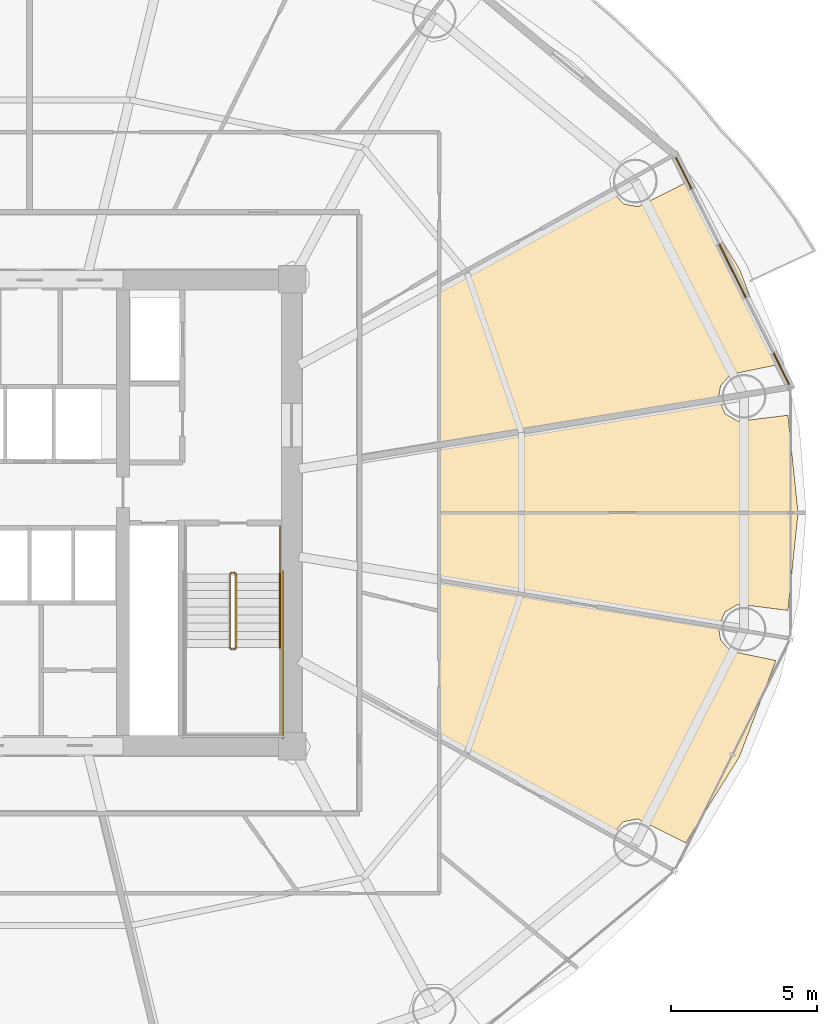
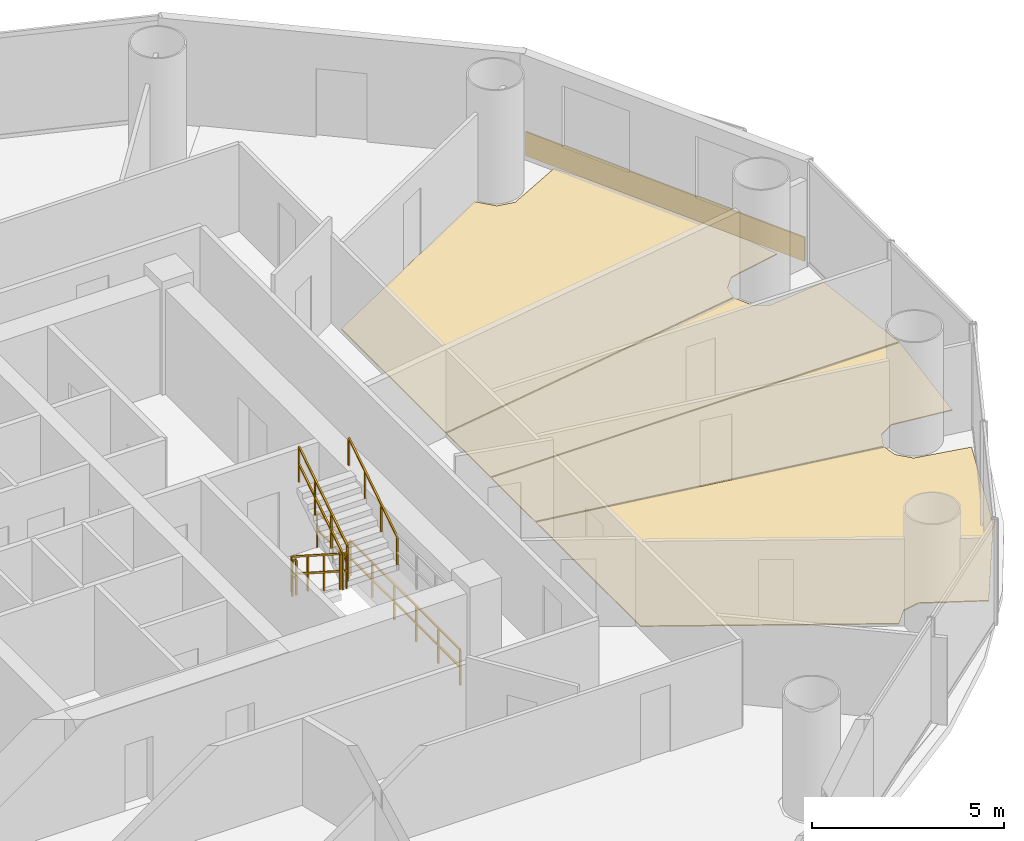
# One storey, part 28 of 29: 7 railings, 5 coverings.
"""IFC4 building model written with IfcOpenShell, lengths in metres."""

import ifcopenshell
import ifcopenshell.guid

model = None  # the IFC model being written
_history = None  # IfcOwnerHistory: only IFC2X3 demands one
_inside = {}  # id of a spatial element -> (the spatial element, [elements in it])
_under = {}  # id of a project, library or spatial element -> (it, [spatial elements below it])
_declared = {}  # id of a project -> (the project, [libraries it declares])
_typed = {}  # id of a type object -> (the type object, [elements of that type])
_made_of = {}  # id of a material, layer set ... -> (it, [elements and type objects made of it])


def new_model(schema):
    """Start an empty IFC model of exactly this schema.

    Asked for "IFC4X3", IfcOpenShell would pick the latest addendum, in which some entities
    have other attributes; the version numbers below select the first issue.
    IFC2X3 requires an IfcOwnerHistory on every rooted entity: one is made here for all.
    """
    global model, _history
    if schema == "IFC4X3":
        model = ifcopenshell.file(schema_version=(4, 3, 0, 0))
    else:
        model = ifcopenshell.file(schema=schema)
    _inside.clear()
    _under.clear()
    _declared.clear()
    _typed.clear()
    _made_of.clear()
    _history = None
    if model.schema == "IFC2X3":
        org = make("IfcOrganization", Name="unknown")
        user = make(
            "IfcPersonAndOrganization",
            ThePerson=make("IfcPerson", FamilyName="unknown"),
            TheOrganization=org,
        )
        app = make(
            "IfcApplication",
            ApplicationDeveloper=org,
            Version="unknown",
            ApplicationFullName="unknown",
            ApplicationIdentifier="unknown",
        )
        _history = make(
            "IfcOwnerHistory",
            OwningUser=user,
            OwningApplication=app,
            ChangeAction="ADDED",
            CreationDate=0,
        )
    return model


def make(cls, **values):
    """One entity of the class cls with the attributes given. An attribute that is None is left unset."""
    return model.create_entity(
        cls, **{name: value for name, value in values.items() if value is not None}
    )


def rooted(cls, **values):
    """An entity with a GlobalId (a new one), such as an element, a storey or a relation."""
    return make(cls, GlobalId=ifcopenshell.guid.new(), OwnerHistory=_history, **values)


def si_unit(unit_type, name, prefix=None):
    """IfcSIUnit, for example si_unit("LENGTHUNIT", "METRE", prefix="MILLI")."""
    return make("IfcSIUnit", UnitType=unit_type, Prefix=prefix, Name=name)


def assignment(units):
    """IfcUnitAssignment: the units of a project."""
    return None if units is None else make("IfcUnitAssignment", Units=units)


def point(xyz):
    """IfcCartesianPoint."""
    return None if xyz is None else make("IfcCartesianPoint", Coordinates=xyz)


def direction(xyz):
    """IfcDirection."""
    return None if xyz is None else make("IfcDirection", DirectionRatios=xyz)


def frame(location, z_axis=None, x_axis=None):
    """IfcAxis2Placement3D, a coordinate frame: its origin and axes. An axis left out is left unset."""
    return make(
        "IfcAxis2Placement3D",
        Location=point(location),
        Axis=direction(z_axis),
        RefDirection=direction(x_axis),
    )


def frame_2d(location, x_axis=None):
    """IfcAxis2Placement2D, a coordinate frame in the plane: its origin and x axis."""
    return make(
        "IfcAxis2Placement2D", Location=point(location), RefDirection=direction(x_axis)
    )


def origin():
    """The frame at (0, 0, 0) with its axes left unset."""
    return frame((0.0, 0.0, 0.0))


def origin_2d():
    """The frame at (0, 0) in the plane with its x axis left unset."""
    return frame_2d((0.0, 0.0))


def place(relative_to, where):
    """IfcLocalPlacement: puts the frame where relative to a parent placement (None: the world)."""
    return make(
        "IfcLocalPlacement", PlacementRelTo=relative_to, RelativePlacement=where
    )


def context(
    kind, dimensions, precision=None, world=None, true_north=None, identifier=None
):
    """IfcGeometricRepresentationContext, for example the 3D "Model" context."""
    return make(
        "IfcGeometricRepresentationContext",
        ContextIdentifier=identifier,
        ContextType=kind,
        CoordinateSpaceDimension=dimensions,
        Precision=precision,
        WorldCoordinateSystem=world,
        TrueNorth=true_north,
    )


def subcontext(parent, identifier, kind, view, scale=None):
    """IfcGeometricRepresentationSubContext, for example "Body" below "Model"."""
    return make(
        "IfcGeometricRepresentationSubContext",
        ContextIdentifier=identifier,
        ContextType=kind,
        ParentContext=parent,
        TargetScale=scale,
        TargetView=view,
    )


def project(units=None, contexts=None):
    """IfcProject with its units and contexts."""
    return rooted(
        "IfcProject",
        Name="project",
        RepresentationContexts=contexts,
        UnitsInContext=assignment(units),
    )


def spatial(cls, under=None, at=None, **own):
    """A site, building, storey or space (cls), placed at a placement, below another one or the project."""
    s = rooted(cls, ObjectPlacement=at, **own)
    if under is not None:
        _under.setdefault(under.id(), (under, []))[1].append(s)
    return s


def polyline(points):
    """IfcPolyline through the points."""
    return make("IfcPolyline", Points=[point(p) for p in points])


def profile(cls, at=None, kind="AREA", **sizes):
    """A parametric profile (cls). Its sizes go by their IFC names, for example OverallWidth=200.0."""
    return make(cls, ProfileType=kind, Position=at, **sizes)


def rectangle(**sizes):
    """IfcRectangleProfileDef."""
    return profile("IfcRectangleProfileDef", **sizes)


def outline(outer, holes=None, kind="AREA"):
    """IfcArbitraryClosedProfileDef: a profile drawn as a closed curve; with holes, ...WithVoids."""
    if holes is None:
        return make("IfcArbitraryClosedProfileDef", ProfileType=kind, OuterCurve=outer)
    return make(
        "IfcArbitraryProfileDefWithVoids",
        ProfileType=kind,
        OuterCurve=outer,
        InnerCurves=holes,
    )


def extrude(swept, where, along, depth):
    """IfcExtrudedAreaSolid: the profile swept, set in the frame where, extruded along a direction by depth."""
    return make(
        "IfcExtrudedAreaSolid",
        SweptArea=swept,
        Position=where,
        ExtrudedDirection=direction(along),
        Depth=depth,
    )


def shape(context_of_items, identifier, shape_type, items):
    """IfcShapeRepresentation: the items that make up one representation, for example the "Body"."""
    return make(
        "IfcShapeRepresentation",
        ContextOfItems=context_of_items,
        RepresentationIdentifier=identifier,
        RepresentationType=shape_type,
        Items=items,
    )


def source(mapping_origin, context_of_items, identifier, shape_type, items):
    """IfcRepresentationMap: a shape defined once, which mapped items show again and again."""
    return make(
        "IfcRepresentationMap",
        MappingOrigin=mapping_origin,
        MappedRepresentation=shape(context_of_items, identifier, shape_type, items),
    )


def transform(
    local_origin,
    x_axis=None,
    y_axis=None,
    z_axis=None,
    scale=None,
    scale2=None,
    scale3=None,
    uniform=True,
):
    """IfcCartesianTransformationOperator3D, or its non-uniform kind. x_axis, y_axis, z_axis: its Axis1, 2, 3."""
    if uniform:
        return make(
            "IfcCartesianTransformationOperator3D",
            Axis1=direction(x_axis),
            Axis2=direction(y_axis),
            LocalOrigin=point(local_origin),
            Scale=scale,
            Axis3=direction(z_axis),
        )
    return make(
        "IfcCartesianTransformationOperator3DnonUniform",
        Axis1=direction(x_axis),
        Axis2=direction(y_axis),
        LocalOrigin=point(local_origin),
        Scale=scale,
        Axis3=direction(z_axis),
        Scale2=scale2,
        Scale3=scale3,
    )


def mapped(mapping_source, mapping_target):
    """IfcMappedItem: shows the shape of a source again, moved by a transform."""
    return make(
        "IfcMappedItem", MappingSource=mapping_source, MappingTarget=mapping_target
    )


def material(Name=None, Category=None):
    """IfcMaterial."""
    return make("IfcMaterial", Name=Name, Category=Category)


def layer(
    of_material, thickness, ventilated=None, Name=None, Category=None, Priority=None
):
    """IfcMaterialLayer: one layer of a wall or slab, of a material (None: an air gap)."""
    return make(
        "IfcMaterialLayer",
        Material=of_material,
        LayerThickness=thickness,
        IsVentilated=ventilated,
        Name=Name,
        Category=Category,
        Priority=Priority,
    )


def layer_set(layers, Name=None):
    """IfcMaterialLayerSet."""
    return make("IfcMaterialLayerSet", MaterialLayers=layers, LayerSetName=Name)


def made_of(thing, what):
    """Note that an element or type object is made of a material, layer set ...; save() writes the relation."""
    if what is not None:
        _made_of.setdefault(what.id(), (what, []))[1].append(thing)
    return thing


def type_object(cls, material=None, **own):
    """A type object (cls), such as IfcWallType, which elements share."""
    return made_of(rooted(cls, **own), material)


def element(
    cls,
    number,
    at=None,
    inside=None,
    cuts=None,
    type_object=None,
    material=None,
    context=None,
    identifier="Body",
    shape_type=None,
    held_by="IfcProductDefinitionShape",
    body=None,
    shapes=None,
    **own,
):
    """One element of the class cls, such as IfcWall. Its Tag is "e" and its number.

    at: its placement. inside: the storey or other place that contains it. cuts: it is an
    opening in that element (IfcRelVoidsElement). A single representation is given by context,
    identifier, shape_type and body (its items); several are given by shapes. held_by: the class
    of the entity that holds the representations. save() writes the other relations.
    """
    e = rooted(cls, Tag="e%d" % number, ObjectPlacement=at, **own)
    if body is not None:
        shapes = [shape(context, identifier, shape_type, body)]
    if shapes is not None:
        e.Representation = make(held_by, Representations=shapes)
    if inside is not None:
        _inside.setdefault(inside.id(), (inside, []))[1].append(e)
    if cuts is not None:
        rooted(
            "IfcRelVoidsElement", RelatingBuildingElement=cuts, RelatedOpeningElement=e
        )
    if type_object is not None:
        _typed.setdefault(type_object.id(), (type_object, []))[1].append(e)
    return made_of(e, material)


def aggregate(whole, parts):
    """IfcRelAggregates: a whole, such as a stair, and the parts it consists of."""
    return rooted("IfcRelAggregates", RelatingObject=whole, RelatedObjects=parts)


def save(model, path):
    """Write the relations noted so far, then the file.

    IfcRelAggregates (storeys below a building ...), IfcRelContainedInSpatialStructure (elements
    in a storey), IfcRelDefinesByType, IfcRelAssociatesMaterial and IfcRelDeclares: one each for
    every whole, place, type object, material and project.
    """
    for whole, parts in _under.values():
        aggregate(whole, parts)
    for where, things in _inside.values():
        rooted(
            "IfcRelContainedInSpatialStructure",
            RelatedElements=things,
            RelatingStructure=where,
        )
    for kind, things in _typed.values():
        rooted("IfcRelDefinesByType", RelatedObjects=things, RelatingType=kind)
    for what, things in _made_of.values():
        rooted("IfcRelAssociatesMaterial", RelatedObjects=things, RelatingMaterial=what)
    for by, libraries in _declared.values():
        rooted("IfcRelDeclares", RelatingContext=by, RelatedDefinitions=libraries)
    model.write(path)


model = new_model("IFC4")

# Units and contexts
model_context = context("Model", 3, precision=1e-05, world=origin(), true_north=direction((-0.2419218956, 0.970295726276)))
body_context = subcontext(model_context, "Body", "Model", "MODEL_VIEW")
ifc_project = project(units=[si_unit("LENGTHUNIT", "METRE"), si_unit("AREAUNIT", "SQUARE_METRE"), si_unit("VOLUMEUNIT", "CUBIC_METRE"), si_unit("PLANEANGLEUNIT", "RADIAN"), si_unit("MASSUNIT", "GRAM", prefix="KILO")], contexts=[model_context])

# Site, building, storey
site_placement = place(None, origin())
site = spatial("IfcSite", under=ifc_project, at=site_placement, CompositionType="ELEMENT")
building_placement = place(site_placement, origin())
building = spatial("IfcBuilding", under=site, at=building_placement, Name="Cobrevalo Terracotta Tower", CompositionType="ELEMENT")
storey_placement = place(building_placement, frame((0.0, 0.0, 87.0)))
storey = spatial("IfcBuildingStorey", under=building, at=storey_placement, Name="L22", CompositionType="ELEMENT", Elevation=87.0)

# Coverings
ifc_material_1 = material(Name="Engineered Brazilian hardwood flooring", Category="wood")
ifc_layer_1 = layer(ifc_material_1, 0.028076171875)
ifc_layer_set_1 = layer_set([ifc_layer_1], Name="Engineered Brazilian hardwood flooring")
covering_type_1 = type_object("IfcCoveringType", Name="Engineered Hardwood Suite Flooring 28", PredefinedType="FLOORING", material=ifc_layer_set_1)
covering_1_placement = place(storey_placement, origin())
element("IfcCovering", 1, at=covering_1_placement, inside=storey, type_object=covering_type_1, Name="Flat L22A Living and Dining Room floor finish", PredefinedType="FLOORING", context=body_context, shape_type="SweptSolid", body=[
    extrude(outline(polyline([(62.317138671875, 35.14892578125), (63.564208984375, 31.859619140625), (62.00732421875, 31.537841796875), (61.669677734375, 31.154541015625), (61.597412109375, 30.719970703125), (52.054931640625, 29.14306640625), (52.054931640625, 34.57958984375), (57.9296875, 37.8408203125), (58.338134765625, 37.381103515625), (58.84033203125, 37.286376953125), (60.474853515625, 38.10546875), (62.317138671875, 35.14892578125)])), origin(), (0.0, 0.0, 1.0), 0.030029296875),
])
covering_2_placement = place(storey_placement, origin())
element("IfcCovering", 2, at=covering_2_placement, inside=storey, type_object=covering_type_1, Name="Flat L22D Penthouse Family Lounge floor finish", PredefinedType="FLOORING", context=body_context, shape_type="SweptSolid", body=[
    extrude(outline(polyline([(60.474853515625, 15.49462890625), (58.84033203125, 16.3134765625), (58.338134765625, 16.218994140625), (57.9296875, 15.759033203125), (52.054931640625, 19.020263671875), (52.054931640625, 24.45703125), (61.597412109375, 22.8798828125), (61.669677734375, 22.445556640625), (62.00732421875, 22.06201171875), (63.564208984375, 21.740478515625), (62.317138671875, 18.451171875), (60.474853515625, 15.49462890625)])), origin(), (0.0, 0.0, 1.0), 0.030029296875),
])
covering_3_placement = place(storey_placement, origin())
element("IfcCovering", 3, at=covering_3_placement, inside=storey, type_object=covering_type_1, Name="Flat L22D Principal Guest Bedroom floor finish", PredefinedType="FLOORING", context=body_context, shape_type="SweptSolid", body=[
    extrude(outline(polyline([(64.318359375, 26.780029296875), (63.975830078125, 23.45654296875), (62.26904296875, 23.6669921875), (61.8271484375, 23.41064453125), (61.60302734375, 22.919677734375), (52.054931640625, 24.49755859375), (52.054931640625, 26.780029296875), (64.318359375, 26.780029296875)])), origin(), (0.0, 0.0, 1.0), 0.030029296875),
])
covering_4_placement = place(storey_placement, origin())
element("IfcCovering", 4, at=covering_4_placement, inside=storey, type_object=covering_type_1, Name="Flat L22D Penthouse Family Lounge floor finish", PredefinedType="FLOORING", context=body_context, shape_type="SweptSolid", body=[
    extrude(outline(polyline([(61.60302734375, 30.680419921875), (61.8271484375, 30.189208984375), (62.26904296875, 29.932861328125), (63.975830078125, 30.143310546875), (64.318359375, 26.820068359375), (52.054931640625, 26.820068359375), (52.054931640625, 29.1025390625), (61.60302734375, 30.680419921875)])), origin(), (0.0, 0.0, 1.0), 0.030029296875),
])

# Railings
ifc_material_2 = material(Name="Brushed stainless steel", Category="steel")
railing_type_1 = type_object("IfcRailingType", Name="Stainless Steel Stair Handrail 900", PredefinedType="HANDRAIL", material=ifc_material_2)
railing_1_placement = place(storey_placement, frame((46.574951171875, 22.179931640625, 1.97998046875)))
element("IfcRailing", 5, at=railing_1_placement, inside=storey, type_object=railing_type_1, Name="L22 ST-2 stair handrail 2", PredefinedType="HANDRAIL", context=body_context, shape_type="SweptSolid", body=[
    extrude(rectangle(XDim=0.048095703125, YDim=0.048095703125, at=origin_2d()), frame((0.0, 0.0, 0.8759765625), z_axis=(0.0, 0.841162588446, 0.540782303519), x_axis=(-1.0, 0.0, 0.0)), (0.0, 0.0, 1.0), 2.995849609375),
    extrude(rectangle(XDim=0.0419921875, YDim=0.0419921875, at=origin_2d()), origin(), (0.0, 0.0, 1.0), 0.851806640625),
    extrude(rectangle(XDim=0.0419921875, YDim=0.0419921875, at=origin_2d()), frame((0.0, 0.840087890625, 0.5400390625)), (0.0, 0.0, 1.0), 0.851806640625),
    extrude(rectangle(XDim=0.0419921875, YDim=0.0419921875, at=origin_2d()), frame((0.0, 1.679931640625, 1.080078125)), (0.0, 0.0, 1.0), 0.851806640625),
    extrude(rectangle(XDim=0.0419921875, YDim=0.0419921875, at=origin_2d()), frame((0.0, 2.52001953125, 1.6201171875)), (0.0, 0.0, 1.0), 0.851806640625),
])
ifc_material_3 = material(Name="Painted galvanized steel", Category="steel")
railing_type_2 = type_object("IfcRailingType", Name="Stair Well Guard Balustrade 1150", PredefinedType="GUARDRAIL", material=ifc_material_3)
railing_2_placement = place(storey_placement, frame((44.85498046875, 24.699951171875, 0.179931640625)))
element("IfcRailing", 6, at=railing_2_placement, inside=storey, type_object=railing_type_2, Name="L22 ST-2 stair guard 1", PredefinedType="GUARDRAIL", context=body_context, shape_type="SweptSolid", body=[
    extrude(rectangle(XDim=0.048095703125, YDim=0.048095703125, at=origin_2d()), frame((0.0, 0.0, 1.1259765625), z_axis=(0.0, -0.841162588446, 0.540782303519), x_axis=(1.0, 0.0, 0.0)), (0.0, 0.0, 1.0), 2.995849609375),
    extrude(rectangle(XDim=0.048095703125, YDim=0.048095703125, at=origin_2d()), frame((0.0, 0.0, 0.574951171875), z_axis=(0.0, -0.841162588446, 0.540782303519), x_axis=(1.0, 0.0, 0.0)), (0.0, 0.0, 1.0), 2.995849609375),
    extrude(rectangle(XDim=0.0419921875, YDim=0.0419921875, at=origin_2d()), origin(), (0.0, 0.0, 1.0), 1.101806640625),
    extrude(rectangle(XDim=0.0419921875, YDim=0.0419921875, at=origin_2d()), frame((0.0, -0.840087890625, 0.5400390625)), (0.0, 0.0, 1.0), 1.101806640625),
    extrude(rectangle(XDim=0.0419921875, YDim=0.0419921875, at=origin_2d()), frame((0.0, -1.679931640625, 1.080078125)), (0.0, 0.0, 1.0), 1.101806640625),
    extrude(rectangle(XDim=0.0419921875, YDim=0.0419921875, at=origin_2d()), frame((0.0, -2.52001953125, 1.6201171875)), (0.0, 0.0, 1.0), 1.101806640625),
])
railing_3_placement = place(storey_placement, frame((44.905029296875, 22.1298828125, 1.800048828125)))
element("IfcRailing", 7, at=railing_3_placement, inside=storey, type_object=railing_type_2, Name="L22 ST-2 stair guard 2", PredefinedType="GUARDRAIL", context=body_context, shape_type="SweptSolid", body=[
    extrude(rectangle(XDim=0.048095703125, YDim=0.048095703125, at=origin_2d()), frame((0.0, 0.0, 1.1259765625), z_axis=(1.0, 0.0, 0.0), x_axis=(0.0, 1.0, 0.0)), (0.0, 0.0, 1.0), 0.119873046875),
    extrude(rectangle(XDim=0.048095703125, YDim=0.048095703125, at=origin_2d()), frame((0.0, 0.0, 0.574951171875), z_axis=(1.0, 0.0, 0.0), x_axis=(0.0, 1.0, 0.0)), (0.0, 0.0, 1.0), 0.119873046875),
    extrude(rectangle(XDim=0.0419921875, YDim=0.0419921875, at=origin_2d()), origin(), (0.0, 0.0, 1.0), 1.101806640625),
    extrude(rectangle(XDim=0.0419921875, YDim=0.0419921875, at=origin_2d()), frame((0.119873046875, 0.0, 0.0)), (0.0, 0.0, 1.0), 1.101806640625),
])
railing_4_placement = place(storey_placement, frame((45.074951171875, 22.179931640625, 1.97998046875)))
element("IfcRailing", 8, at=railing_4_placement, inside=storey, type_object=railing_type_2, Name="L22 ST-2 stair guard 6", PredefinedType="GUARDRAIL", context=body_context, shape_type="SweptSolid", body=[
    extrude(rectangle(XDim=0.048095703125, YDim=0.048095703125, at=origin_2d()), frame((0.0, 0.0, 1.1259765625), z_axis=(0.0, 0.841162588446, 0.540782303519), x_axis=(-1.0, 0.0, 0.0)), (0.0, 0.0, 1.0), 2.995849609375),
    extrude(rectangle(XDim=0.048095703125, YDim=0.048095703125, at=origin_2d()), frame((0.0, 0.0, 0.574951171875), z_axis=(0.0, 0.841162588446, 0.540782303519), x_axis=(-1.0, 0.0, 0.0)), (0.0, 0.0, 1.0), 2.995849609375),
    extrude(rectangle(XDim=0.0419921875, YDim=0.0419921875, at=origin_2d()), origin(), (0.0, 0.0, 1.0), 1.101806640625),
    extrude(rectangle(XDim=0.0419921875, YDim=0.0419921875, at=origin_2d()), frame((0.0, 0.840087890625, 0.5400390625)), (0.0, 0.0, 1.0), 1.101806640625),
    extrude(rectangle(XDim=0.0419921875, YDim=0.0419921875, at=origin_2d()), frame((0.0, 1.679931640625, 1.080078125)), (0.0, 0.0, 1.0), 1.101806640625),
    extrude(rectangle(XDim=0.0419921875, YDim=0.0419921875, at=origin_2d()), frame((0.0, 2.52001953125, 1.6201171875)), (0.0, 0.0, 1.0), 1.101806640625),
])
railing_5_placement = place(storey_placement, frame((44.905029296875, 24.75, 0.0)))
element("IfcRailing", 9, at=railing_5_placement, inside=storey, type_object=railing_type_2, Name="L22 ST-2 stair guard 7", PredefinedType="GUARDRAIL", context=body_context, shape_type="SweptSolid", body=[
    extrude(rectangle(XDim=0.048095703125, YDim=0.048095703125, at=origin_2d()), frame((0.0, 0.0, 1.1259765625), z_axis=(1.0, 0.0, 0.0), x_axis=(0.0, 1.0, 0.0)), (0.0, 0.0, 1.0), 0.119873046875),
    extrude(rectangle(XDim=0.048095703125, YDim=0.048095703125, at=origin_2d()), frame((0.0, 0.0, 0.574951171875), z_axis=(1.0, 0.0, 0.0), x_axis=(0.0, 1.0, 0.0)), (0.0, 0.0, 1.0), 0.119873046875),
    extrude(rectangle(XDim=0.0419921875, YDim=0.0419921875, at=origin_2d()), origin(), (0.0, 0.0, 1.0), 1.101806640625),
    extrude(rectangle(XDim=0.0419921875, YDim=0.0419921875, at=origin_2d()), frame((0.119873046875, 0.0, 0.0)), (0.0, 0.0, 1.0), 1.101806640625),
])
railing_6_placement = place(storey_placement, frame((46.574951171875, 26.35009765625, 0.0)))
element("IfcRailing", 10, at=railing_6_placement, inside=storey, type_object=railing_type_2, Name="L22 ST-2 stair guard 9", PredefinedType="GUARDRAIL", context=body_context, shape_type="SweptSolid", body=[
    extrude(rectangle(XDim=0.048095703125, YDim=0.048095703125, at=origin_2d()), frame((0.0, 0.0, 1.1259765625), z_axis=(0.0, -1.0, 0.0), x_axis=(1.0, 0.0, 0.0)), (0.0, 0.0, 1.0), 1.650146484375),
    extrude(rectangle(XDim=0.048095703125, YDim=0.048095703125, at=origin_2d()), frame((0.0, 0.0, 0.574951171875), z_axis=(0.0, -1.0, 0.0), x_axis=(1.0, 0.0, 0.0)), (0.0, 0.0, 1.0), 1.650146484375),
    extrude(rectangle(XDim=0.0419921875, YDim=0.0419921875, at=origin_2d()), origin(), (0.0, 0.0, 1.0), 1.101806640625),
    extrude(rectangle(XDim=0.0419921875, YDim=0.0419921875, at=origin_2d()), frame((0.0, -0.8251953125, 0.0)), (0.0, 0.0, 1.0), 1.101806640625),
    extrude(rectangle(XDim=0.0419921875, YDim=0.0419921875, at=origin_2d()), frame((0.0, -1.650146484375, 0.0)), (0.0, 0.0, 1.0), 1.101806640625),
])
railing_7_placement = place(storey_placement, frame((46.675048828125, 24.800048828125, 0.0)))
element("IfcRailing", 11, at=railing_7_placement, inside=storey, type_object=railing_type_2, Name="L22 ST-2 stair guard 11", PredefinedType="GUARDRAIL", context=body_context, shape_type="SweptSolid", body=[
    extrude(rectangle(XDim=0.048095703125, YDim=0.048095703125, at=origin_2d()), frame((0.0, 0.0, 1.1259765625), z_axis=(0.0, -1.0, 0.0), x_axis=(1.0, 0.0, 0.0)), (0.0, 0.0, 1.0), 5.72509765625),
    extrude(rectangle(XDim=0.048095703125, YDim=0.048095703125, at=origin_2d()), frame((0.0, 0.0, 0.574951171875), z_axis=(0.0, -1.0, 0.0), x_axis=(1.0, 0.0, 0.0)), (0.0, 0.0, 1.0), 5.72509765625),
    extrude(rectangle(XDim=0.0419921875, YDim=0.0419921875, at=origin_2d()), origin(), (0.0, 0.0, 1.0), 1.101806640625),
    extrude(rectangle(XDim=0.0419921875, YDim=0.0419921875, at=origin_2d()), frame((0.0, -1.14501953125, 0.0)), (0.0, 0.0, 1.0), 1.101806640625),
    extrude(rectangle(XDim=0.0419921875, YDim=0.0419921875, at=origin_2d()), frame((0.0, -2.2900390625, 0.0)), (0.0, 0.0, 1.0), 1.101806640625),
    extrude(rectangle(XDim=0.0419921875, YDim=0.0419921875, at=origin_2d()), frame((0.0, -3.43505859375, 0.0)), (0.0, 0.0, 1.0), 1.101806640625),
    extrude(rectangle(XDim=0.0419921875, YDim=0.0419921875, at=origin_2d()), frame((0.0, -4.580078125, 0.0)), (0.0, 0.0, 1.0), 1.101806640625),
    extrude(rectangle(XDim=0.0419921875, YDim=0.0419921875, at=origin_2d()), frame((0.0, -5.72509765625, 0.0)), (0.0, 0.0, 1.0), 1.101806640625),
])

# Covering
ifc_material_4 = material(Name="Glazed terracotta facade cladding tile", Category="masonry")
ifc_layer_2 = layer(ifc_material_4, 0.044921875)
ifc_layer_set_2 = layer_set([ifc_layer_2], Name="Glazed terracotta facade cladding tile")
covering_type_2 = type_object("IfcCoveringType", Name="Architectural terracotta rainscreen spandrel cladding 45 mm", PredefinedType="CLADDING", material=ifc_layer_set_2)
shared_shape = source(origin(), body_context, "Body", "SweptSolid", [
    extrude(rectangle(XDim=8.690185546875, YDim=0.044921875, at=origin_2d()), origin(), (0.0, 0.0, 1.0), 0.760009765625),
])
covering_5_placement = place(storey_placement, frame((62.075927734375, 35.08349609375, 0.0400390625), z_axis=(0.0, 0.0, 1.0), x_axis=(-0.446261852127, 0.894902430065, 0.0)))
element("IfcCovering", 12, at=covering_5_placement, inside=storey, type_object=covering_type_2, Name="L22 terracotta spandrel cladding S01", PredefinedType="CLADDING", context=body_context, shape_type="MappedRepresentation", body=[
    mapped(shared_shape, transform((0.0, 0.0, 0.0), scale=1.0)),
])

save(model, "model.ifc")
